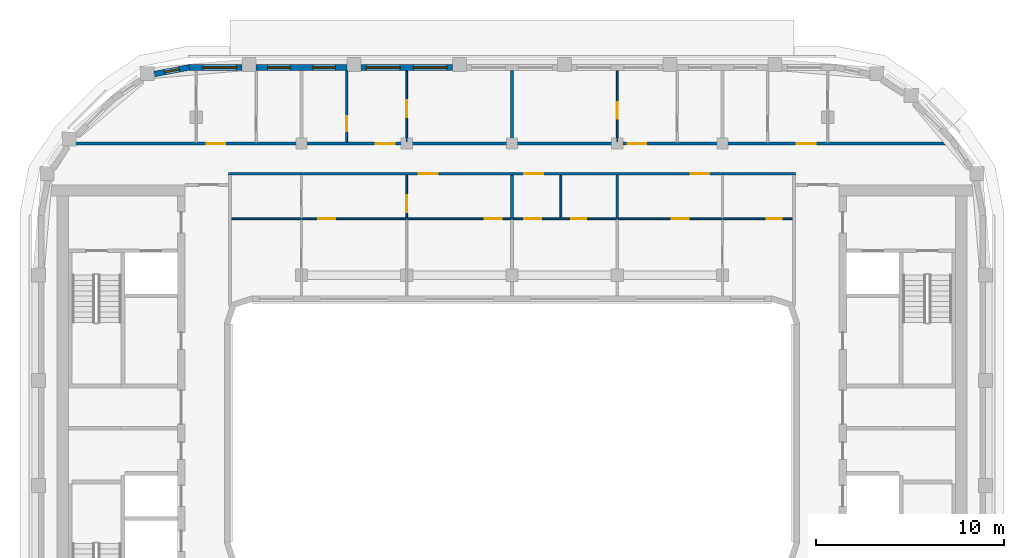
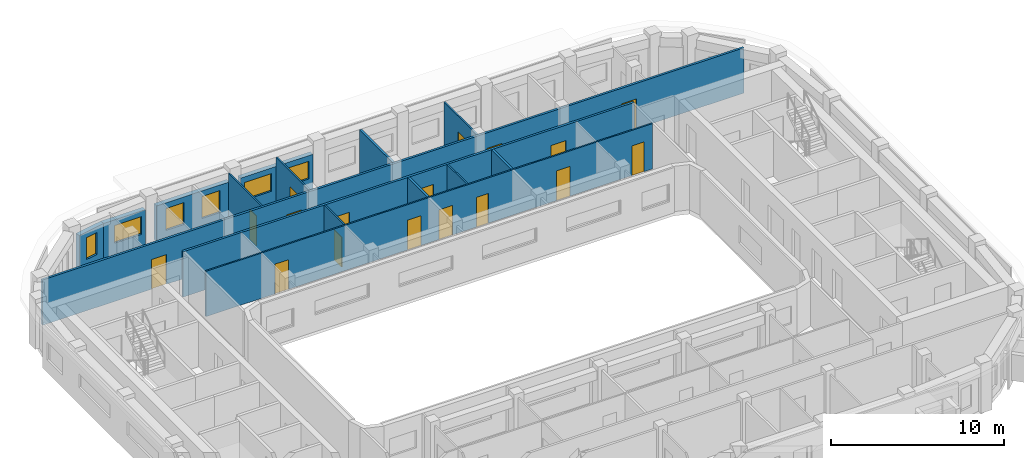
# One storey, part 7 of 16: 17 doors, 15 walls, 6 windows, 23 openings.
"""IFC4 building model written with IfcOpenShell, lengths in metres."""

from ifc_helpers import new_model, si_unit, direction, frame, frame_2d, origin, place, context, subcontext, project, spatial, rectangle, extrude, material, layer, layer_set, type_object, element, fill, save


model = new_model("IFC4")

# Units and contexts
model_context = context("Model", 3, precision=1e-05, world=origin(), true_north=direction((0.0, 1.0)))
body_context = subcontext(model_context, "Body", "Model", "MODEL_VIEW")
ifc_project = project(units=[si_unit("LENGTHUNIT", "METRE"), si_unit("AREAUNIT", "SQUARE_METRE"), si_unit("VOLUMEUNIT", "CUBIC_METRE"), si_unit("PLANEANGLEUNIT", "RADIAN"), si_unit("MASSUNIT", "GRAM", prefix="KILO")], contexts=[model_context])

# Site, building, storey
site_placement = place(None, origin())
site = spatial("IfcSite", under=ifc_project, at=site_placement, CompositionType="ELEMENT")
building_placement = place(site_placement, origin())
building = spatial("IfcBuilding", under=site, at=building_placement, Name="Kiln Ring Residences", CompositionType="ELEMENT")
storey_placement = place(building_placement, frame((0.0, 0.0, 273.199951171875)))
storey = spatial("IfcBuildingStorey", under=building, at=storey_placement, Name="L71", CompositionType="ELEMENT", Elevation=273.199951171875)

# Wall, openings, windows
ifc_material_1 = material(Name="Brick masonry, dark clay brick", Category="masonry")
ifc_layer_1 = layer(ifc_material_1, 0.300048828125)
ifc_layer_set_1 = layer_set([ifc_layer_1], Name="EW-300 BRICK WALL")
wall_type_1 = type_object("IfcWallType", Name="EW-300 BRICK WALL", PredefinedType="SOLIDWALL", material=ifc_layer_set_1)
wall_1_placement = place(storey_placement, frame((-3.175048828125, 19.449951171875, 0.0), z_axis=(0.0, 0.0, 1.0), x_axis=(-1.0, 0.0, 0.0)))
wall_1 = element("IfcWall", 1, at=wall_1_placement, inside=storey, type_object=wall_type_1, Name="Facade wall L71 30", PredefinedType="SOLIDWALL", context=body_context, shape_type="SweptSolid", body=[
    extrude(rectangle(XDim=4.849853515625, YDim=0.300048828125, at=frame_2d((2.4248046875, 0.0))), origin(), (0.0, 0.0, 1.0), 2.550048828125),
])
opening_1_placement = place(wall_1_placement, frame((0.27490234375, 0.0, 0.89990234375)))
opening_1 = element("IfcOpeningElement", 2, at=opening_1_placement, cuts=wall_1, Name="Opening W2", PredefinedType="OPENING", context=body_context, shape_type="SweptSolid", body=[
    extrude(rectangle(XDim=1.800048828125, YDim=1.25, at=frame_2d((0.89990234375, 0.625))), frame((0.0, 0.159912109375, 0.0), z_axis=(0.0, -1.0, 0.0), x_axis=(1.0, 0.0, 0.0)), (0.0, 0.0, 1.0), 0.320068359375),
])
opening_2_placement = place(wall_1_placement, frame((2.77490234375, 0.0, 0.89990234375)))
opening_2 = element("IfcOpeningElement", 3, at=opening_2_placement, cuts=wall_1, Name="Opening W2", PredefinedType="OPENING", context=body_context, shape_type="SweptSolid", body=[
    extrude(rectangle(XDim=1.800048828125, YDim=1.25, at=frame_2d((0.89990234375, 0.625))), frame((0.0, 0.159912109375, 0.0), z_axis=(0.0, -1.0, 0.0), x_axis=(1.0, 0.0, 0.0)), (0.0, 0.0, 1.0), 0.320068359375),
])
ifc_material_2 = material(Name="Aluminium frame with double glazing", Category="aluminium")
window_type_1 = type_object("IfcWindowType", Name="WINDOW 1800 x 1250", PartitioningType="SINGLE_PANEL", PredefinedType="WINDOW", material=ifc_material_2)
window_1_placement = place(opening_1_placement, origin())
window_1 = element("IfcWindow", 4, at=window_1_placement, inside=storey, type_object=window_type_1, Name="Window L71 28", OverallHeight=1.25, OverallWidth=1.800048828125, PartitioningType="SINGLE_PANEL", PredefinedType="WINDOW", context=body_context, shape_type="SweptSolid", body=[
    extrude(rectangle(XDim=1.800048828125, YDim=1.25, at=frame_2d((0.89990234375, 0.625))), frame((0.0, 0.030029296875, 0.0), z_axis=(0.0, -1.0, 0.0), x_axis=(1.0, 0.0, 0.0)), (0.0, 0.0, 1.0), 0.06005859375),
])
fill(opening_1, window_1)
window_2_placement = place(opening_2_placement, origin())
window_2 = element("IfcWindow", 5, at=window_2_placement, inside=storey, type_object=window_type_1, Name="Window L71 29", OverallHeight=1.25, OverallWidth=1.800048828125, PartitioningType="SINGLE_PANEL", PredefinedType="WINDOW", context=body_context, shape_type="SweptSolid", body=[
    extrude(rectangle(XDim=1.800048828125, YDim=1.25, at=frame_2d((0.89990234375, 0.625))), frame((0.0, 0.030029296875, 0.0), z_axis=(0.0, -1.0, 0.0), x_axis=(1.0, 0.0, 0.0)), (0.0, 0.0, 1.0), 0.06005859375),
])
fill(opening_2, window_2)

wall_2_placement = place(storey_placement, frame((-8.77490234375, 19.449951171875, 0.0), z_axis=(0.0, 0.0, 1.0), x_axis=(-1.0, 0.0, 0.0)))
wall_2 = element("IfcWall", 6, at=wall_2_placement, inside=storey, type_object=wall_type_1, Name="Facade wall L71 31", PredefinedType="SOLIDWALL", context=body_context, shape_type="SweptSolid", body=[
    extrude(rectangle(XDim=4.85009765625, YDim=0.300048828125, at=frame_2d((2.425048828125, 0.0))), origin(), (0.0, 0.0, 1.0), 2.550048828125),
])
opening_3_placement = place(wall_2_placement, frame((0.625, 0.0, 0.60009765625)))
opening_3 = element("IfcOpeningElement", 7, at=opening_3_placement, cuts=wall_2, Name="Opening W1", PredefinedType="OPENING", context=body_context, shape_type="SweptSolid", body=[
    extrude(rectangle(XDim=1.199951171875, YDim=1.550048828125, at=frame_2d((0.60009765625, 0.77490234375))), frame((0.0, 0.159912109375, 0.0), z_axis=(0.0, -1.0, 0.0), x_axis=(1.0, 0.0, 0.0)), (0.0, 0.0, 1.0), 0.320068359375),
])
opening_4_placement = place(wall_2_placement, frame((3.02490234375, 0.0, 0.60009765625)))
opening_4 = element("IfcOpeningElement", 8, at=opening_4_placement, cuts=wall_2, Name="Opening W1", PredefinedType="OPENING", context=body_context, shape_type="SweptSolid", body=[
    extrude(rectangle(XDim=1.199951171875, YDim=1.550048828125, at=frame_2d((0.60009765625, 0.77490234375))), frame((0.0, 0.159912109375, 0.0), z_axis=(0.0, -1.0, 0.0), x_axis=(1.0, 0.0, 0.0)), (0.0, 0.0, 1.0), 0.320068359375),
])
ifc_material_3 = material(Name="Aluminium frame with double glazing", Category="aluminium")
window_type_2 = type_object("IfcWindowType", Name="WINDOW 1200 x 1550", PartitioningType="SINGLE_PANEL", PredefinedType="WINDOW", material=ifc_material_3)
window_3_placement = place(opening_3_placement, origin())
window_3 = element("IfcWindow", 9, at=window_3_placement, inside=storey, type_object=window_type_2, Name="Window L71 30", OverallHeight=1.550048828125, OverallWidth=1.199951171875, PartitioningType="SINGLE_PANEL", PredefinedType="WINDOW", context=body_context, shape_type="SweptSolid", body=[
    extrude(rectangle(XDim=1.199951171875, YDim=1.550048828125, at=frame_2d((0.60009765625, 0.77490234375))), frame((0.0, 0.030029296875, 0.0), z_axis=(0.0, -1.0, 0.0), x_axis=(1.0, 0.0, 0.0)), (0.0, 0.0, 1.0), 0.06005859375),
])
fill(opening_3, window_3)
window_4_placement = place(opening_4_placement, origin())
window_4 = element("IfcWindow", 10, at=window_4_placement, inside=storey, type_object=window_type_2, Name="Window L71 31", OverallHeight=1.550048828125, OverallWidth=1.199951171875, PartitioningType="SINGLE_PANEL", PredefinedType="WINDOW", context=body_context, shape_type="SweptSolid", body=[
    extrude(rectangle(XDim=1.199951171875, YDim=1.550048828125, at=frame_2d((0.60009765625, 0.77490234375))), frame((0.0, 0.030029296875, 0.0), z_axis=(0.0, -1.0, 0.0), x_axis=(1.0, 0.0, 0.0)), (0.0, 0.0, 1.0), 0.06005859375),
])
fill(opening_4, window_4)

# Wall, opening, window
wall_3_placement = place(storey_placement, frame((-14.375, 19.449951171875, 0.0), z_axis=(0.0, 0.0, 1.0), x_axis=(-1.0, 0.0, 0.0)))
wall_3 = element("IfcWall", 11, at=wall_3_placement, inside=storey, type_object=wall_type_1, Name="Facade wall L71 32", PredefinedType="SOLIDWALL", context=body_context, shape_type="SweptSolid", body=[
    extrude(rectangle(XDim=2.824951171875, YDim=0.300048828125, at=frame_2d((1.41259765625, 0.0))), origin(), (0.0, 0.0, 1.0), 2.550048828125),
])
opening_5_placement = place(wall_3_placement, frame((0.27490234375, 0.0, 0.89990234375)))
opening_5 = element("IfcOpeningElement", 12, at=opening_5_placement, cuts=wall_3, Name="Opening W2", PredefinedType="OPENING", context=body_context, shape_type="SweptSolid", body=[
    extrude(rectangle(XDim=1.800048828125, YDim=1.25, at=frame_2d((0.89990234375, 0.625))), frame((0.0, 0.159912109375, 0.0), z_axis=(0.0, -1.0, 0.0), x_axis=(1.0, 0.0, 0.0)), (0.0, 0.0, 1.0), 0.320068359375),
])
window_5_placement = place(opening_5_placement, origin())
window_5 = element("IfcWindow", 13, at=window_5_placement, inside=storey, type_object=window_type_1, Name="Window L71 32", OverallHeight=1.25, OverallWidth=1.800048828125, PartitioningType="SINGLE_PANEL", PredefinedType="WINDOW", context=body_context, shape_type="SweptSolid", body=[
    extrude(rectangle(XDim=1.800048828125, YDim=1.25, at=frame_2d((0.89990234375, 0.625))), frame((0.0, 0.030029296875, 0.0), z_axis=(0.0, -1.0, 0.0), x_axis=(1.0, 0.0, 0.0)), (0.0, 0.0, 1.0), 0.06005859375),
])
fill(opening_5, window_5)

wall_4_placement = place(storey_placement, frame((-17.171875, 19.45263671875, 0.0), z_axis=(0.0, 0.0, 1.0), x_axis=(-0.982284001233, -0.187398348234, 0.0)))
wall_4 = element("IfcWall", 14, at=wall_4_placement, inside=storey, type_object=wall_type_1, Name="Facade wall L71 33", PredefinedType="SOLIDWALL", context=body_context, shape_type="SweptSolid", body=[
    extrude(rectangle(XDim=1.88134765625, YDim=0.300048828125, at=frame_2d((0.940673828125, 0.0))), origin(), (0.0, 0.0, 1.0), 2.550048828125),
])
opening_6_placement = place(wall_4_placement, frame((0.54052734375, 0.0, 0.60009765625)))
opening_6 = element("IfcOpeningElement", 15, at=opening_6_placement, cuts=wall_4, Name="Opening W5", PredefinedType="OPENING", context=body_context, shape_type="SweptSolid", body=[
    extrude(rectangle(XDim=0.800048828125, YDim=1.550048828125, at=frame_2d((0.39990234375, 0.77490234375))), frame((0.0, 0.159912109375, 0.0), z_axis=(0.0, -1.0, 0.0), x_axis=(1.0, 0.0, 0.0)), (0.0, 0.0, 1.0), 0.320068359375),
])
ifc_material_4 = material(Name="Aluminium frame with double glazing", Category="aluminium")
window_type_3 = type_object("IfcWindowType", Name="WINDOW 800 x 1550", PartitioningType="SINGLE_PANEL", PredefinedType="WINDOW", material=ifc_material_4)
window_6_placement = place(opening_6_placement, origin())
window_6 = element("IfcWindow", 16, at=window_6_placement, inside=storey, type_object=window_type_3, Name="Window L71 33", OverallHeight=1.550048828125, OverallWidth=0.800048828125, PartitioningType="SINGLE_PANEL", PredefinedType="WINDOW", context=body_context, shape_type="SweptSolid", body=[
    extrude(rectangle(XDim=0.800048828125, YDim=1.550048828125, at=frame_2d((0.39990234375, 0.77490234375))), frame((0.0, 0.030029296875, 0.0), z_axis=(0.0, -1.0, 0.0), x_axis=(1.0, 0.0, 0.0)), (0.0, 0.0, 1.0), 0.06005859375),
])
fill(opening_6, window_6)

# Wall, openings, doors
ifc_material_5 = material(Name="Gypsum board on steel studs", Category="steel")
ifc_layer_2 = layer(ifc_material_5, 0.10009765625)
ifc_layer_set_2 = layer_set([ifc_layer_2], Name="PARTITION-100")
wall_type_2 = type_object("IfcWallType", Name="PARTITION-100", PredefinedType="PARTITIONING", material=ifc_layer_set_2)
wall_5_placement = place(storey_placement, frame((-14.925048828125, 11.39990234375, 0.0), z_axis=(0.0, 0.0, 1.0), x_axis=(1.0, 0.0, 0.0)))
wall_5 = element("IfcWall", 17, at=wall_5_placement, inside=storey, type_object=wall_type_2, Name="Partition 005", PredefinedType="PARTITIONING", context=body_context, shape_type="SweptSolid", body=[
    extrude(rectangle(XDim=29.85009765625, YDim=0.10009765625, at=frame_2d((14.925048828125, 0.0))), origin(), (0.0, 0.0, 1.0), 3.199951171875),
])
opening_7_placement = place(wall_5_placement, frame((13.47509765625, 0.0, 0.0)))
opening_7 = element("IfcOpeningElement", 18, at=opening_7_placement, cuts=wall_5, Name="Opening L71-D008", PredefinedType="OPENING", context=body_context, shape_type="SweptSolid", body=[
    extrude(rectangle(XDim=0.89990234375, YDim=2.10009765625, at=frame_2d((0.449951171875, 1.050048828125))), frame((0.0, 0.06005859375, 0.0), z_axis=(0.0, -1.0, 0.0), x_axis=(1.0, 0.0, 0.0)), (0.0, 0.0, 1.0), 0.1201171875),
])
opening_8_placement = place(wall_5_placement, frame((4.625, 0.0, 0.0)))
opening_8 = element("IfcOpeningElement", 19, at=opening_8_placement, cuts=wall_5, Name="Opening L71-D009", PredefinedType="OPENING", context=body_context, shape_type="SweptSolid", body=[
    extrude(rectangle(XDim=0.89990234375, YDim=2.10009765625, at=frame_2d((0.449951171875, 1.050048828125))), frame((0.0, 0.06005859375, 0.0), z_axis=(0.0, -1.0, 0.0), x_axis=(1.0, 0.0, 0.0)), (0.0, 0.0, 1.0), 0.1201171875),
])
opening_9_placement = place(wall_5_placement, frame((18.074951171875, 0.0, 0.0)))
opening_9 = element("IfcOpeningElement", 20, at=opening_9_placement, cuts=wall_5, Name="Opening L71-D012", PredefinedType="OPENING", context=body_context, shape_type="SweptSolid", body=[
    extrude(rectangle(XDim=0.800048828125, YDim=2.10009765625, at=frame_2d((0.39990234375, 1.050048828125))), frame((0.0, 0.06005859375, 0.0), z_axis=(0.0, -1.0, 0.0), x_axis=(1.0, 0.0, 0.0)), (0.0, 0.0, 1.0), 0.1201171875),
])
opening_10_placement = place(wall_5_placement, frame((15.574951171875, 0.0, 0.0)))
opening_10 = element("IfcOpeningElement", 21, at=opening_10_placement, cuts=wall_5, Name="Opening L71-D013", PredefinedType="OPENING", context=body_context, shape_type="SweptSolid", body=[
    extrude(rectangle(XDim=0.89990234375, YDim=2.10009765625, at=frame_2d((0.449951171875, 1.050048828125))), frame((0.0, 0.06005859375, 0.0), z_axis=(0.0, -1.0, 0.0), x_axis=(1.0, 0.0, 0.0)), (0.0, 0.0, 1.0), 0.1201171875),
])
opening_11_placement = place(wall_5_placement, frame((28.47412109375, 0.0, 0.0)))
opening_11 = element("IfcOpeningElement", 22, at=opening_11_placement, cuts=wall_5, Name="Opening L71-D015", PredefinedType="OPENING", context=body_context, shape_type="SweptSolid", body=[
    extrude(rectangle(XDim=0.800048828125, YDim=2.10009765625, at=frame_2d((0.39990234375, 1.050048828125))), frame((0.0, 0.06005859375, 0.0), z_axis=(0.0, -1.0, 0.0), x_axis=(1.0, 0.0, 0.0)), (0.0, 0.0, 1.0), 0.1201171875),
])
opening_12_placement = place(wall_5_placement, frame((23.425048828125, 0.0, 0.0)))
opening_12 = element("IfcOpeningElement", 23, at=opening_12_placement, cuts=wall_5, Name="Opening L71-D016", PredefinedType="OPENING", context=body_context, shape_type="SweptSolid", body=[
    extrude(rectangle(XDim=0.89990234375, YDim=2.10009765625, at=frame_2d((0.449951171875, 1.050048828125))), frame((0.0, 0.06005859375, 0.0), z_axis=(0.0, -1.0, 0.0), x_axis=(1.0, 0.0, 0.0)), (0.0, 0.0, 1.0), 0.1201171875),
])
ifc_material_6 = material(Name="Timber door leaf", Category="wood")
door_type_1 = type_object("IfcDoorType", Name="FLAT-DOOR-800-PL", OperationType="SINGLE_SWING_LEFT", PredefinedType="DOOR", material=ifc_material_6)
door_1_placement = place(opening_9_placement, origin())
door_1 = element("IfcDoor", 24, at=door_1_placement, inside=storey, type_object=door_type_1, Name="Door L71-D012", OperationType="SINGLE_SWING_RIGHT", OverallHeight=2.10009765625, OverallWidth=0.800048828125, PredefinedType="DOOR", context=body_context, shape_type="SweptSolid", body=[
    extrude(rectangle(XDim=0.800048828125, YDim=2.10009765625, at=frame_2d((0.39990234375, 1.050048828125))), frame((0.0, 0.02490234375, 0.0), z_axis=(0.0, -1.0, 0.0), x_axis=(1.0, 0.0, 0.0)), (0.0, 0.0, 1.0), 0.050048828125),
])
fill(opening_9, door_1)
door_2_placement = place(opening_11_placement, origin())
door_2 = element("IfcDoor", 25, at=door_2_placement, inside=storey, type_object=door_type_1, Name="Door L71-D015", OperationType="SINGLE_SWING_LEFT", OverallHeight=2.10009765625, OverallWidth=0.800048828125, PredefinedType="DOOR", context=body_context, shape_type="SweptSolid", body=[
    extrude(rectangle(XDim=0.800048828125, YDim=2.10009765625, at=frame_2d((0.39990234375, 1.050048828125))), frame((0.0, 0.02490234375, 0.0), z_axis=(0.0, -1.0, 0.0), x_axis=(1.0, 0.0, 0.0)), (0.0, 0.0, 1.0), 0.050048828125),
])
fill(opening_11, door_2)
ifc_material_7 = material(Name="Timber door leaf", Category="wood")
door_type_2 = type_object("IfcDoorType", Name="FLAT-DOOR-900-PL", OperationType="SINGLE_SWING_LEFT", PredefinedType="DOOR", material=ifc_material_7)
door_3_placement = place(opening_7_placement, origin())
door_3 = element("IfcDoor", 26, at=door_3_placement, inside=storey, type_object=door_type_2, Name="Door L71-D008", OperationType="SINGLE_SWING_RIGHT", OverallHeight=2.10009765625, OverallWidth=0.89990234375, PredefinedType="DOOR", context=body_context, shape_type="SweptSolid", body=[
    extrude(rectangle(XDim=0.89990234375, YDim=2.10009765625, at=frame_2d((0.449951171875, 1.050048828125))), frame((0.0, 0.02490234375, 0.0), z_axis=(0.0, -1.0, 0.0), x_axis=(1.0, 0.0, 0.0)), (0.0, 0.0, 1.0), 0.050048828125),
])
fill(opening_7, door_3)
door_4_placement = place(opening_8_placement, origin())
door_4 = element("IfcDoor", 27, at=door_4_placement, inside=storey, type_object=door_type_2, Name="Door L71-D009", OperationType="SINGLE_SWING_LEFT", OverallHeight=2.10009765625, OverallWidth=0.89990234375, PredefinedType="DOOR", context=body_context, shape_type="SweptSolid", body=[
    extrude(rectangle(XDim=0.89990234375, YDim=2.10009765625, at=frame_2d((0.449951171875, 1.050048828125))), frame((0.0, 0.02490234375, 0.0), z_axis=(0.0, -1.0, 0.0), x_axis=(1.0, 0.0, 0.0)), (0.0, 0.0, 1.0), 0.050048828125),
])
fill(opening_8, door_4)
door_5_placement = place(opening_10_placement, origin())
door_5 = element("IfcDoor", 28, at=door_5_placement, inside=storey, type_object=door_type_2, Name="Door L71-D013", OperationType="SINGLE_SWING_LEFT", OverallHeight=2.10009765625, OverallWidth=0.89990234375, PredefinedType="DOOR", context=body_context, shape_type="SweptSolid", body=[
    extrude(rectangle(XDim=0.89990234375, YDim=2.10009765625, at=frame_2d((0.449951171875, 1.050048828125))), frame((0.0, 0.02490234375, 0.0), z_axis=(0.0, -1.0, 0.0), x_axis=(1.0, 0.0, 0.0)), (0.0, 0.0, 1.0), 0.050048828125),
])
fill(opening_10, door_5)
door_6_placement = place(opening_12_placement, origin())
door_6 = element("IfcDoor", 29, at=door_6_placement, inside=storey, type_object=door_type_2, Name="Door L71-D016", OperationType="SINGLE_SWING_RIGHT", OverallHeight=2.10009765625, OverallWidth=0.89990234375, PredefinedType="DOOR", context=body_context, shape_type="SweptSolid", body=[
    extrude(rectangle(XDim=0.89990234375, YDim=2.10009765625, at=frame_2d((0.449951171875, 1.050048828125))), frame((0.0, 0.02490234375, 0.0), z_axis=(0.0, -1.0, 0.0), x_axis=(1.0, 0.0, 0.0)), (0.0, 0.0, 1.0), 0.050048828125),
])
fill(opening_12, door_6)

# Wall, opening, door
wall_6_placement = place(storey_placement, frame((-8.800048828125, 15.47509765625, 0.0), z_axis=(0.0, 0.0, 1.0), x_axis=(0.0, 1.0, 0.0)))
wall_6 = element("IfcWall", 30, at=wall_6_placement, inside=storey, type_object=wall_type_2, Name="Partition 023", PredefinedType="PARTITIONING", context=body_context, shape_type="SweptSolid", body=[
    extrude(rectangle(XDim=3.804931640625, YDim=0.10009765625, at=frame_2d((1.90234375, 0.0))), origin(), (0.0, 0.0, 1.0), 3.199951171875),
])
opening_13_placement = place(wall_6_placement, frame((0.5849609375, 0.0, 0.0)))
opening_13 = element("IfcOpeningElement", 31, at=opening_13_placement, cuts=wall_6, Name="Opening L71-D022", PredefinedType="OPENING", context=body_context, shape_type="SweptSolid", body=[
    extrude(rectangle(XDim=0.800048828125, YDim=2.10009765625, at=frame_2d((0.39990234375, 1.050048828125))), frame((0.0, 0.06005859375, 0.0), z_axis=(0.0, -1.0, 0.0), x_axis=(1.0, 0.0, 0.0)), (0.0, 0.0, 1.0), 0.1201171875),
])
door_7_placement = place(opening_13_placement, origin())
door_7 = element("IfcDoor", 32, at=door_7_placement, inside=storey, type_object=door_type_1, Name="Door L71-D022", OperationType="SINGLE_SWING_RIGHT", OverallHeight=2.10009765625, OverallWidth=0.800048828125, PredefinedType="DOOR", context=body_context, shape_type="SweptSolid", body=[
    extrude(rectangle(XDim=0.800048828125, YDim=2.10009765625, at=frame_2d((0.39990234375, 1.050048828125))), frame((0.0, 0.02490234375, 0.0), z_axis=(0.0, -1.0, 0.0), x_axis=(1.0, 0.0, 0.0)), (0.0, 0.0, 1.0), 0.050048828125),
])
fill(opening_13, door_7)

wall_7_placement = place(storey_placement, frame((-5.60009765625, 11.449951171875, 0.0), z_axis=(0.0, 0.0, 1.0), x_axis=(0.0, 1.0, 0.0)))
wall_7 = element("IfcWall", 33, at=wall_7_placement, inside=storey, type_object=wall_type_2, Name="Partition 028", PredefinedType="PARTITIONING", context=body_context, shape_type="SweptSolid", body=[
    extrude(rectangle(XDim=2.275146484375, YDim=0.10009765625, at=frame_2d((1.1376953125, 0.0))), origin(), (0.0, 0.0, 1.0), 3.199951171875),
])
opening_14_placement = place(wall_7_placement, frame((0.299072265625, 0.0, 0.0)))
opening_14 = element("IfcOpeningElement", 34, at=opening_14_placement, cuts=wall_7, Name="Opening L71-D006", PredefinedType="OPENING", context=body_context, shape_type="SweptSolid", body=[
    extrude(rectangle(XDim=0.89990234375, YDim=2.10009765625, at=frame_2d((0.449951171875, 1.050048828125))), frame((0.0, 0.06005859375, 0.0), z_axis=(0.0, -1.0, 0.0), x_axis=(1.0, 0.0, 0.0)), (0.0, 0.0, 1.0), 0.1201171875),
])
door_8_placement = place(opening_14_placement, origin())
door_8 = element("IfcDoor", 35, at=door_8_placement, inside=storey, type_object=door_type_2, Name="Door L71-D006", OperationType="SINGLE_SWING_RIGHT", OverallHeight=2.10009765625, OverallWidth=0.89990234375, PredefinedType="DOOR", context=body_context, shape_type="SweptSolid", body=[
    extrude(rectangle(XDim=0.89990234375, YDim=2.10009765625, at=frame_2d((0.449951171875, 1.050048828125))), frame((0.0, 0.02490234375, 0.0), z_axis=(0.0, -1.0, 0.0), x_axis=(1.0, 0.0, 0.0)), (0.0, 0.0, 1.0), 0.050048828125),
])
fill(opening_14, door_8)

wall_8_placement = place(storey_placement, frame((-5.60009765625, 15.47509765625, 0.0), z_axis=(0.0, 0.0, 1.0), x_axis=(0.0, 1.0, 0.0)))
wall_8 = element("IfcWall", 36, at=wall_8_placement, inside=storey, type_object=wall_type_2, Name="Partition 029", PredefinedType="PARTITIONING", context=body_context, shape_type="SweptSolid", body=[
    extrude(rectangle(XDim=3.804931640625, YDim=0.10009765625, at=frame_2d((1.90234375, 0.0))), origin(), (0.0, 0.0, 1.0), 3.199951171875),
])
opening_15_placement = place(wall_8_placement, frame((1.325927734375, 0.0, 0.0)))
opening_15 = element("IfcOpeningElement", 37, at=opening_15_placement, cuts=wall_8, Name="Opening L71-D023", PredefinedType="OPENING", context=body_context, shape_type="SweptSolid", body=[
    extrude(rectangle(XDim=0.89990234375, YDim=2.10009765625, at=frame_2d((0.449951171875, 1.050048828125))), frame((0.0, 0.06005859375, 0.0), z_axis=(0.0, -1.0, 0.0), x_axis=(1.0, 0.0, 0.0)), (0.0, 0.0, 1.0), 0.1201171875),
])
door_9_placement = place(opening_15_placement, origin())
door_9 = element("IfcDoor", 38, at=door_9_placement, inside=storey, type_object=door_type_2, Name="Door L71-D023", OperationType="SINGLE_SWING_LEFT", OverallHeight=2.10009765625, OverallWidth=0.89990234375, PredefinedType="DOOR", context=body_context, shape_type="SweptSolid", body=[
    extrude(rectangle(XDim=0.89990234375, YDim=2.10009765625, at=frame_2d((0.449951171875, 1.050048828125))), frame((0.0, 0.02490234375, 0.0), z_axis=(0.0, -1.0, 0.0), x_axis=(1.0, 0.0, 0.0)), (0.0, 0.0, 1.0), 0.050048828125),
])
fill(opening_15, door_9)

# Wall
wall_9_placement = place(storey_placement, frame((2.60009765625, 11.449951171875, 0.0), z_axis=(0.0, 0.0, 1.0), x_axis=(0.0, 1.0, 0.0)))
element("IfcWall", 39, at=wall_9_placement, inside=storey, type_object=wall_type_2, Name="Partition 036", PredefinedType="PARTITIONING", context=body_context, shape_type="SweptSolid", body=[
    extrude(rectangle(XDim=2.275146484375, YDim=0.10009765625, at=frame_2d((1.1376953125, 0.0))), origin(), (0.0, 0.0, 1.0), 3.199951171875),
])

# Wall, opening, door
wall_10_placement = place(storey_placement, frame((5.60009765625, 15.47509765625, 0.0), z_axis=(0.0, 0.0, 1.0), x_axis=(0.0, 1.0, 0.0)))
wall_10 = element("IfcWall", 40, at=wall_10_placement, inside=storey, type_object=wall_type_2, Name="Partition 039", PredefinedType="PARTITIONING", context=body_context, shape_type="SweptSolid", body=[
    extrude(rectangle(XDim=3.804931640625, YDim=0.10009765625, at=frame_2d((1.90234375, 0.0))), origin(), (0.0, 0.0, 1.0), 3.199951171875),
])
opening_16_placement = place(wall_10_placement, frame((1.235107421875, 0.0, 0.0)))
opening_16 = element("IfcOpeningElement", 41, at=opening_16_placement, cuts=wall_10, Name="Opening L71-D026", PredefinedType="OPENING", context=body_context, shape_type="SweptSolid", body=[
    extrude(rectangle(XDim=0.89990234375, YDim=2.10009765625, at=frame_2d((0.449951171875, 1.050048828125))), frame((0.0, 0.06005859375, 0.0), z_axis=(0.0, -1.0, 0.0), x_axis=(1.0, 0.0, 0.0)), (0.0, 0.0, 1.0), 0.1201171875),
])
door_10_placement = place(opening_16_placement, origin())
door_10 = element("IfcDoor", 42, at=door_10_placement, inside=storey, type_object=door_type_2, Name="Door L71-D026", OperationType="SINGLE_SWING_RIGHT", OverallHeight=2.10009765625, OverallWidth=0.89990234375, PredefinedType="DOOR", context=body_context, shape_type="SweptSolid", body=[
    extrude(rectangle(XDim=0.89990234375, YDim=2.10009765625, at=frame_2d((0.449951171875, 1.050048828125))), frame((0.0, 0.02490234375, 0.0), z_axis=(0.0, -1.0, 0.0), x_axis=(1.0, 0.0, 0.0)), (0.0, 0.0, 1.0), 0.050048828125),
])
fill(opening_16, door_10)

# Wall, openings, doors
ifc_material_8 = material(Name="Brick masonry partition", Category="masonry")
ifc_layer_3 = layer(ifc_material_8, 0.14990234375)
ifc_layer_set_3 = layer_set([ifc_layer_3], Name="PARTITION-150-ei60")
wall_type_3 = type_object("IfcWallType", Name="PARTITION-150-ei60", PredefinedType="PARTITIONING", material=ifc_layer_set_3)
wall_11_placement = place(storey_placement, frame((-15.074951171875, 13.800048828125, 0.0), z_axis=(0.0, 0.0, 1.0), x_axis=(1.0, 0.0, 0.0)))
wall_11 = element("IfcWall", 43, at=wall_11_placement, inside=storey, type_object=wall_type_3, Name="Partition 008", PredefinedType="PARTITIONING", context=body_context, shape_type="SweptSolid", body=[
    extrude(rectangle(XDim=30.14990234375, YDim=0.14990234375, at=frame_2d((15.074951171875, 0.0))), origin(), (0.0, 0.0, 1.0), 3.199951171875),
])
opening_17_placement = place(wall_11_placement, frame((10.125, 0.0, 0.0)))
opening_17 = element("IfcOpeningElement", 44, at=opening_17_placement, cuts=wall_11, Name="Opening L71-D005", PredefinedType="OPENING", context=body_context, shape_type="SweptSolid", body=[
    extrude(rectangle(XDim=1.0, YDim=2.10009765625, at=frame_2d((0.5, 1.050048828125))), frame((0.0, 0.0849609375, 0.0), z_axis=(0.0, -1.0, 0.0), x_axis=(1.0, 0.0, 0.0)), (0.0, 0.0, 1.0), 0.169921875),
])
opening_18_placement = place(wall_11_placement, frame((15.72509765625, 0.0, 0.0)))
opening_18 = element("IfcOpeningElement", 45, at=opening_18_placement, cuts=wall_11, Name="Opening L71-D011", PredefinedType="OPENING", context=body_context, shape_type="SweptSolid", body=[
    extrude(rectangle(XDim=1.0, YDim=2.10009765625, at=frame_2d((0.5, 1.050048828125))), frame((0.0, 0.0849609375, 0.0), z_axis=(0.0, -1.0, 0.0), x_axis=(1.0, 0.0, 0.0)), (0.0, 0.0, 1.0), 0.169921875),
])
opening_19_placement = place(wall_11_placement, frame((24.574951171875, 0.0, 0.0)))
opening_19 = element("IfcOpeningElement", 46, at=opening_19_placement, cuts=wall_11, Name="Opening L71-D014", PredefinedType="OPENING", context=body_context, shape_type="SweptSolid", body=[
    extrude(rectangle(XDim=1.0, YDim=2.10009765625, at=frame_2d((0.5, 1.050048828125))), frame((0.0, 0.0849609375, 0.0), z_axis=(0.0, -1.0, 0.0), x_axis=(1.0, 0.0, 0.0)), (0.0, 0.0, 1.0), 0.169921875),
])
ifc_material_9 = material(Name="Steel faced fire door leaf", Category="steel")
door_type_3 = type_object("IfcDoorType", Name="FLAT-DOOR-1000-FR", OperationType="SINGLE_SWING_LEFT", PredefinedType="DOOR", material=ifc_material_9)
door_11_placement = place(opening_17_placement, origin())
door_11 = element("IfcDoor", 47, at=door_11_placement, inside=storey, type_object=door_type_3, Name="Door L71-D005", OperationType="SINGLE_SWING_LEFT", OverallHeight=2.10009765625, OverallWidth=1.0, PredefinedType="DOOR", context=body_context, shape_type="SweptSolid", body=[
    extrude(rectangle(XDim=1.0, YDim=2.10009765625, at=frame_2d((0.5, 1.050048828125))), frame((0.0, 0.02490234375, 0.0), z_axis=(0.0, -1.0, 0.0), x_axis=(1.0, 0.0, 0.0)), (0.0, 0.0, 1.0), 0.050048828125),
])
fill(opening_17, door_11)
door_12_placement = place(opening_18_placement, origin())
door_12 = element("IfcDoor", 48, at=door_12_placement, inside=storey, type_object=door_type_3, Name="Door L71-D011", OperationType="SINGLE_SWING_LEFT", OverallHeight=2.10009765625, OverallWidth=1.0, PredefinedType="DOOR", context=body_context, shape_type="SweptSolid", body=[
    extrude(rectangle(XDim=1.0, YDim=2.10009765625, at=frame_2d((0.5, 1.050048828125))), frame((0.0, 0.02490234375, 0.0), z_axis=(0.0, -1.0, 0.0), x_axis=(1.0, 0.0, 0.0)), (0.0, 0.0, 1.0), 0.050048828125),
])
fill(opening_18, door_12)
door_13_placement = place(opening_19_placement, origin())
door_13 = element("IfcDoor", 49, at=door_13_placement, inside=storey, type_object=door_type_3, Name="Door L71-D014", OperationType="SINGLE_SWING_RIGHT", OverallHeight=2.10009765625, OverallWidth=1.0, PredefinedType="DOOR", context=body_context, shape_type="SweptSolid", body=[
    extrude(rectangle(XDim=1.0, YDim=2.10009765625, at=frame_2d((0.5, 1.050048828125))), frame((0.0, 0.02490234375, 0.0), z_axis=(0.0, -1.0, 0.0), x_axis=(1.0, 0.0, 0.0)), (0.0, 0.0, 1.0), 0.050048828125),
])
fill(opening_19, door_13)

wall_12_placement = place(storey_placement, frame((-23.550048828125, 15.39990234375, 0.0), z_axis=(0.0, 0.0, 1.0), x_axis=(1.0, 0.0, 0.0)))
wall_12 = element("IfcWall", 50, at=wall_12_placement, inside=storey, type_object=wall_type_3, Name="Partition 009", PredefinedType="PARTITIONING", context=body_context, shape_type="SweptSolid", body=[
    extrude(rectangle(XDim=46.8720703125, YDim=0.14990234375, at=frame_2d((23.43603515625, 0.0))), origin(), (0.0, 0.0, 1.0), 3.199951171875),
])
opening_20_placement = place(wall_12_placement, frame((7.300048828125, 0.0, 0.0)))
opening_20 = element("IfcOpeningElement", 51, at=opening_20_placement, cuts=wall_12, Name="Opening L71-D018", PredefinedType="OPENING", context=body_context, shape_type="SweptSolid", body=[
    extrude(rectangle(XDim=1.0, YDim=2.10009765625, at=frame_2d((0.5, 1.050048828125))), frame((0.0, 0.0849609375, 0.0), z_axis=(0.0, -1.0, 0.0), x_axis=(1.0, 0.0, 0.0)), (0.0, 0.0, 1.0), 0.169921875),
])
opening_21_placement = place(wall_12_placement, frame((16.300048828125, 0.0, 0.0)))
opening_21 = element("IfcOpeningElement", 52, at=opening_21_placement, cuts=wall_12, Name="Opening L71-D021", PredefinedType="OPENING", context=body_context, shape_type="SweptSolid", body=[
    extrude(rectangle(XDim=1.0, YDim=2.10009765625, at=frame_2d((0.5, 1.050048828125))), frame((0.0, 0.0849609375, 0.0), z_axis=(0.0, -1.0, 0.0), x_axis=(1.0, 0.0, 0.0)), (0.0, 0.0, 1.0), 0.169921875),
])
opening_22_placement = place(wall_12_placement, frame((29.699951171875, 0.0, 0.0)))
opening_22 = element("IfcOpeningElement", 53, at=opening_22_placement, cuts=wall_12, Name="Opening L71-D024", PredefinedType="OPENING", context=body_context, shape_type="SweptSolid", body=[
    extrude(rectangle(XDim=1.0, YDim=2.10009765625, at=frame_2d((0.5, 1.050048828125))), frame((0.0, 0.0849609375, 0.0), z_axis=(0.0, -1.0, 0.0), x_axis=(1.0, 0.0, 0.0)), (0.0, 0.0, 1.0), 0.169921875),
])
opening_23_placement = place(wall_12_placement, frame((38.699951171875, 0.0, 0.0)))
opening_23 = element("IfcOpeningElement", 54, at=opening_23_placement, cuts=wall_12, Name="Opening L71-D027", PredefinedType="OPENING", context=body_context, shape_type="SweptSolid", body=[
    extrude(rectangle(XDim=1.0, YDim=2.10009765625, at=frame_2d((0.5, 1.050048828125))), frame((0.0, 0.0849609375, 0.0), z_axis=(0.0, -1.0, 0.0), x_axis=(1.0, 0.0, 0.0)), (0.0, 0.0, 1.0), 0.169921875),
])
door_14_placement = place(opening_20_placement, origin())
door_14 = element("IfcDoor", 55, at=door_14_placement, inside=storey, type_object=door_type_3, Name="Door L71-D018", OperationType="SINGLE_SWING_RIGHT", OverallHeight=2.10009765625, OverallWidth=1.0, PredefinedType="DOOR", context=body_context, shape_type="SweptSolid", body=[
    extrude(rectangle(XDim=1.0, YDim=2.10009765625, at=frame_2d((0.5, 1.050048828125))), frame((0.0, 0.02490234375, 0.0), z_axis=(0.0, -1.0, 0.0), x_axis=(1.0, 0.0, 0.0)), (0.0, 0.0, 1.0), 0.050048828125),
])
fill(opening_20, door_14)
door_15_placement = place(opening_21_placement, origin())
door_15 = element("IfcDoor", 56, at=door_15_placement, inside=storey, type_object=door_type_3, Name="Door L71-D021", OperationType="SINGLE_SWING_LEFT", OverallHeight=2.10009765625, OverallWidth=1.0, PredefinedType="DOOR", context=body_context, shape_type="SweptSolid", body=[
    extrude(rectangle(XDim=1.0, YDim=2.10009765625, at=frame_2d((0.5, 1.050048828125))), frame((0.0, 0.02490234375, 0.0), z_axis=(0.0, -1.0, 0.0), x_axis=(1.0, 0.0, 0.0)), (0.0, 0.0, 1.0), 0.050048828125),
])
fill(opening_21, door_15)
door_16_placement = place(opening_22_placement, origin())
door_16 = element("IfcDoor", 57, at=door_16_placement, inside=storey, type_object=door_type_3, Name="Door L71-D024", OperationType="SINGLE_SWING_RIGHT", OverallHeight=2.10009765625, OverallWidth=1.0, PredefinedType="DOOR", context=body_context, shape_type="SweptSolid", body=[
    extrude(rectangle(XDim=1.0, YDim=2.10009765625, at=frame_2d((0.5, 1.050048828125))), frame((0.0, 0.02490234375, 0.0), z_axis=(0.0, -1.0, 0.0), x_axis=(1.0, 0.0, 0.0)), (0.0, 0.0, 1.0), 0.050048828125),
])
fill(opening_22, door_16)
door_17_placement = place(opening_23_placement, origin())
door_17 = element("IfcDoor", 58, at=door_17_placement, inside=storey, type_object=door_type_3, Name="Door L71-D027", OperationType="SINGLE_SWING_LEFT", OverallHeight=2.10009765625, OverallWidth=1.0, PredefinedType="DOOR", context=body_context, shape_type="SweptSolid", body=[
    extrude(rectangle(XDim=1.0, YDim=2.10009765625, at=frame_2d((0.5, 1.050048828125))), frame((0.0, 0.02490234375, 0.0), z_axis=(0.0, -1.0, 0.0), x_axis=(1.0, 0.0, 0.0)), (0.0, 0.0, 1.0), 0.050048828125),
])
fill(opening_23, door_17)

# Walls
wall_13_placement = place(storey_placement, frame((0.0, 11.449951171875, 0.0), z_axis=(0.0, 0.0, 1.0), x_axis=(0.0, 1.0, 0.0)))
element("IfcWall", 59, at=wall_13_placement, inside=storey, type_object=wall_type_3, Name="Partition 034", PredefinedType="PARTITIONING", context=body_context, shape_type="SweptSolid", body=[
    extrude(rectangle(XDim=2.275146484375, YDim=0.14990234375, at=frame_2d((1.1376953125, 0.0))), origin(), (0.0, 0.0, 1.0), 3.199951171875),
])
wall_14_placement = place(storey_placement, frame((0.0, 15.47509765625, 0.0), z_axis=(0.0, 0.0, 1.0), x_axis=(0.0, 1.0, 0.0)))
element("IfcWall", 60, at=wall_14_placement, inside=storey, type_object=wall_type_3, Name="Partition 035", PredefinedType="PARTITIONING", context=body_context, shape_type="SweptSolid", body=[
    extrude(rectangle(XDim=3.804931640625, YDim=0.14990234375, at=frame_2d((1.90234375, 0.0))), origin(), (0.0, 0.0, 1.0), 3.199951171875),
])
wall_15_placement = place(storey_placement, frame((5.60009765625, 11.449951171875, 0.0), z_axis=(0.0, 0.0, 1.0), x_axis=(0.0, 1.0, 0.0)))
element("IfcWall", 61, at=wall_15_placement, inside=storey, type_object=wall_type_3, Name="Partition 042", PredefinedType="PARTITIONING", context=body_context, shape_type="SweptSolid", body=[
    extrude(rectangle(XDim=2.275146484375, YDim=0.14990234375, at=frame_2d((1.1376953125, 0.0))), origin(), (0.0, 0.0, 1.0), 3.199951171875),
])

save(model, "model.ifc")
